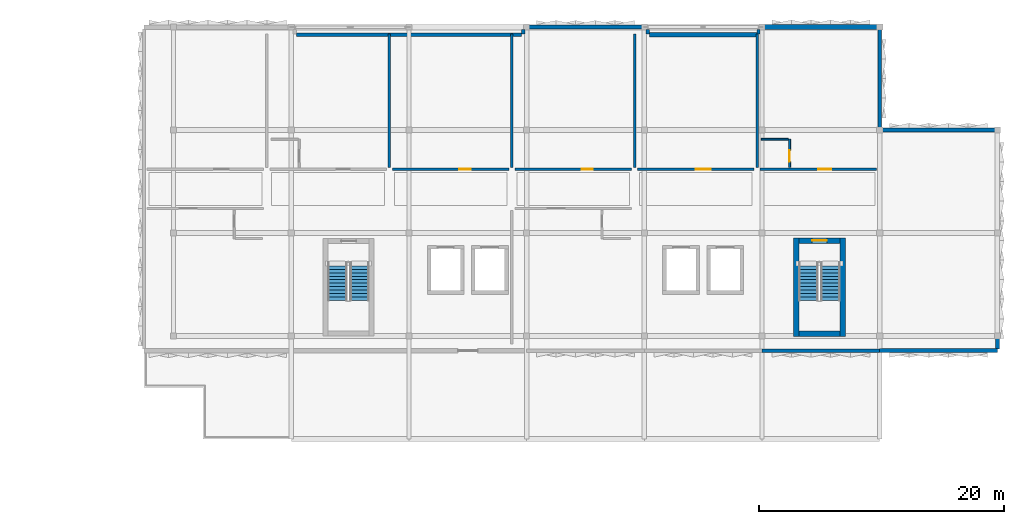
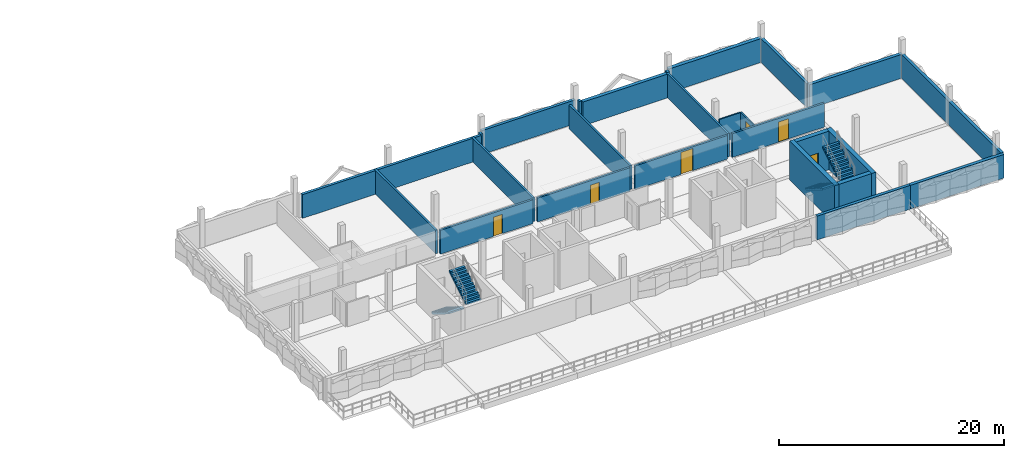
# One storey, part 8 of 13: 26 walls, 6 doors, 4 stair flights, 6 openings, 2 elements without a shape of their own.
"""IFC4 building model written with IfcOpenShell, lengths in metres."""

from ifc_helpers import new_model, si_unit, direction, frame, frame_2d, origin, place, context, subcontext, project, spatial, polyline, rectangle, outline, extrude, material, layer, layer_set, type_object, element, fill, aggregate, save


model = new_model("IFC4")

# Units and contexts
model_context = context("Model", 3, precision=1e-05, world=origin(), true_north=direction((0.0, 1.0)))
body_context = subcontext(model_context, "Body", "Model", "MODEL_VIEW")
ifc_project = project(units=[si_unit("LENGTHUNIT", "METRE"), si_unit("AREAUNIT", "SQUARE_METRE"), si_unit("VOLUMEUNIT", "CUBIC_METRE"), si_unit("PLANEANGLEUNIT", "RADIAN"), si_unit("MASSUNIT", "GRAM", prefix="KILO")], contexts=[model_context])

# Site, building, storey
site_placement = place(None, origin())
site = spatial("IfcSite", under=ifc_project, at=site_placement, CompositionType="ELEMENT")
building_placement = place(site_placement, origin())
building = spatial("IfcBuilding", under=site, at=building_placement, Name="Oolite Switchyard Hospital", CompositionType="ELEMENT")
storey_placement = place(building_placement, frame((0.0, 0.0, 30.39990234375)))
storey = spatial("IfcBuildingStorey", under=building, at=storey_placement, Name="L07", CompositionType="ELEMENT", Elevation=30.39990234375)

# Walls
ifc_material_1 = material(Name="Precast oolitic limestone architectural concrete C40/50", Category="masonry")
ifc_layer_1 = layer(ifc_material_1, 0.260009765625)
ifc_layer_set_1 = layer_set([ifc_layer_1], Name="WAL-EXT-260")
wall_type_1 = type_object("IfcWallType", Name="WAL-EXT-260", PredefinedType="SOLIDWALL", material=ifc_layer_set_1)
for number, where, z_axis, x_axis, name in (
    (1, (172.52001953125, 134.199951171875, 0.0), (0.0, 0.0, 1.0), (0.0, -1.0, 0.0), "L07 Brace Alcove Cheek Wall 392"),
    (2, (182.679931640625, 134.199951171875, 0.0), (0.0, 0.0, 1.0), (0.0, -1.0, 0.0), "L07 Brace Alcove Cheek Wall 395"),
    (3, (191.719970703125, 134.199951171875, 0.0), (0.0, 0.0, 1.0), (0.0, -1.0, 0.0), "L07 Brace Alcove Cheek Wall 396"),
):
    element("IfcWall", number, at=place(storey_placement, frame(where, z_axis=z_axis, x_axis=x_axis)), inside=storey, type_object=wall_type_1, Name=name, PredefinedType="SOLIDWALL", context=body_context, shape_type="SweptSolid", body=[
        extrude(rectangle(XDim=0.35986328125, YDim=0.260009765625, at=frame_2d((0.179931640625, 0.0))), origin(), (0.0, 0.0, 1.0), 2.580078125),
    ])
ifc_layer_2 = layer(ifc_material_1, 0.280029296875)
ifc_layer_set_2 = layer_set([ifc_layer_2], Name="WAL-EXT-280")
wall_type_2 = type_object("IfcWallType", Name="WAL-EXT-280", PredefinedType="SOLIDWALL", material=ifc_layer_set_2)
wall_1_placement = place(storey_placement, frame((154.02001953125, 133.780029296875, 0.0), z_axis=(0.0, 0.0, 1.0), x_axis=(1.0, 0.0, 0.0)))
element("IfcWall", 4, at=wall_1_placement, inside=storey, type_object=wall_type_2, Name="L07 Exterior Spandrel Wall 393", PredefinedType="SOLIDWALL", context=body_context, shape_type="SweptSolid", body=[
    extrude(rectangle(XDim=18.35986328125, YDim=0.280029296875, at=frame_2d((9.179931640625, 0.0))), origin(), (0.0, 0.0, 1.0), 2.580078125),
])
wall_2_placement = place(storey_placement, frame((201.60009765625, 134.239990234375, 0.0), z_axis=(0.0, 0.0, 1.0), x_axis=(0.0, -1.0, 0.0)))
element("IfcWall", 5, at=wall_2_placement, inside=storey, type_object=wall_type_2, Name="L07 Exterior Spandrel Wall 400", PredefinedType="SOLIDWALL", context=body_context, shape_type="SweptSolid", body=[
    extrude(rectangle(XDim=8.080078125, YDim=0.280029296875, at=frame_2d((4.0400390625, 0.0))), origin(), (0.0, 0.0, 1.0), 2.580078125),
])
ifc_layer_3 = layer(ifc_material_1, 0.300048828125)
ifc_layer_set_3 = layer_set([ifc_layer_3], Name="WAL-EXT-300")
wall_type_3 = type_object("IfcWallType", Name="WAL-EXT-300", PredefinedType="SOLIDWALL", material=ifc_layer_set_3)
wall_3_placement = place(storey_placement, frame((201.60009765625, 108.0, 0.0), z_axis=(0.0, 0.0, 1.0), x_axis=(-1.0, 0.0, 0.0)))
element("IfcWall", 6, at=wall_3_placement, inside=storey, type_object=wall_type_3, Name="L07 Exterior Spandrel Wall 387", PredefinedType="SOLIDWALL", context=body_context, shape_type="SweptSolid", body=[
    extrude(rectangle(XDim=9.60009765625, YDim=0.300048828125, at=frame_2d((4.800048828125, 0.0))), origin(), (0.0, 0.0, 1.0), 2.580078125),
])
wall_4_placement = place(storey_placement, frame((172.800048828125, 134.39990234375, 0.0), z_axis=(0.0, 0.0, 1.0), x_axis=(1.0, 0.0, 0.0)))
element("IfcWall", 7, at=wall_4_placement, inside=storey, type_object=wall_type_3, Name="L07 Exterior Spandrel Wall 394", PredefinedType="SOLIDWALL", context=body_context, shape_type="SweptSolid", body=[
    extrude(rectangle(XDim=9.599853515625, YDim=0.300048828125, at=frame_2d((4.7998046875, 0.0))), origin(), (0.0, 0.0, 1.0), 2.580078125),
])
wall_5_placement = place(storey_placement, frame((211.199951171875, 125.840087890625, 0.0), z_axis=(0.0, 0.0, 1.0), x_axis=(0.0, -1.0, 0.0)))
element("IfcWall", 8, at=wall_5_placement, inside=storey, type_object=wall_type_3, Name="L07 Exterior Spandrel Wall 401", PredefinedType="SOLIDWALL", context=body_context, shape_type="SweptSolid", body=[
    extrude(rectangle(XDim=17.68017578125, YDim=0.300048828125, at=frame_2d((8.840087890625, 0.0))), origin(), (0.0, 0.0, 1.0), 2.580078125),
])
ifc_layer_4 = layer(ifc_material_1, 0.320068359375)
ifc_layer_set_4 = layer_set([ifc_layer_4], Name="WAL-EXT-320")
wall_type_4 = type_object("IfcWallType", Name="WAL-EXT-320", PredefinedType="SOLIDWALL", material=ifc_layer_set_4)
wall_6_placement = place(storey_placement, frame((211.199951171875, 108.0, 0.0), z_axis=(0.0, 0.0, 1.0), x_axis=(-1.0, 0.0, 0.0)))
element("IfcWall", 9, at=wall_6_placement, inside=storey, type_object=wall_type_4, Name="L07 Exterior Spandrel Wall 388", PredefinedType="SOLIDWALL", context=body_context, shape_type="SweptSolid", body=[
    extrude(rectangle(XDim=9.599853515625, YDim=0.320068359375, at=frame_2d((4.7998046875, 0.0))), origin(), (0.0, 0.0, 1.0), 2.580078125),
])
ifc_layer_5 = layer(ifc_material_1, 0.340087890625)
ifc_layer_set_5 = layer_set([ifc_layer_5], Name="WAL-EXT-340")
wall_type_5 = type_object("IfcWallType", Name="WAL-EXT-340", PredefinedType="SOLIDWALL", material=ifc_layer_set_5)
wall_7_placement = place(storey_placement, frame((201.60009765625, 126.0, 0.0), z_axis=(0.0, 0.0, 1.0), x_axis=(1.0, 0.0, 0.0)))
element("IfcWall", 10, at=wall_7_placement, inside=storey, type_object=wall_type_5, Name="L07 Exterior Spandrel Wall 389", PredefinedType="SOLIDWALL", context=body_context, shape_type="SweptSolid", body=[
    extrude(rectangle(XDim=9.599853515625, YDim=0.340087890625, at=frame_2d((4.7998046875, 0.0))), origin(), (0.0, 0.0, 1.0), 2.580078125),
])
ifc_layer_6 = layer(ifc_material_1, 0.360107421875)
ifc_layer_set_6 = layer_set([ifc_layer_6], Name="WAL-EXT-360")
wall_type_6 = type_object("IfcWallType", Name="WAL-EXT-360", PredefinedType="SOLIDWALL", material=ifc_layer_set_6)
wall_8_placement = place(storey_placement, frame((182.820068359375, 133.780029296875, 0.0), z_axis=(0.0, 0.0, 1.0), x_axis=(1.0, 0.0, 0.0)))
element("IfcWall", 11, at=wall_8_placement, inside=storey, type_object=wall_type_6, Name="L07 Exterior Spandrel Wall 397", PredefinedType="SOLIDWALL", context=body_context, shape_type="SweptSolid", body=[
    extrude(rectangle(XDim=8.760009765625, YDim=0.360107421875, at=frame_2d((4.3798828125, 0.0))), origin(), (0.0, 0.0, 1.0), 2.580078125),
])
ifc_layer_7 = layer(ifc_material_1, 0.3798828125)
ifc_layer_set_7 = layer_set([ifc_layer_7], Name="WAL-EXT-380")
wall_type_7 = type_object("IfcWallType", Name="WAL-EXT-380", PredefinedType="SOLIDWALL", material=ifc_layer_set_7)
wall_9_placement = place(storey_placement, frame((192.0, 134.39990234375, 0.0), z_axis=(0.0, 0.0, 1.0), x_axis=(1.0, 0.0, 0.0)))
element("IfcWall", 12, at=wall_9_placement, inside=storey, type_object=wall_type_7, Name="L07 Exterior Spandrel Wall 398", PredefinedType="SOLIDWALL", context=body_context, shape_type="SweptSolid", body=[
    extrude(rectangle(XDim=9.60009765625, YDim=0.3798828125, at=frame_2d((4.800048828125, 0.0))), origin(), (0.0, 0.0, 1.0), 2.580078125),
])

# Wall, opening, door
ifc_material_2 = material(Name="Moisture-resistant gypsum board on steel studs", Category="steel")
ifc_layer_8 = layer(ifc_material_2, 0.14990234375)
ifc_layer_set_8 = layer_set([ifc_layer_8], Name="WAL-PART-150")
wall_type_8 = type_object("IfcWallType", Name="WAL-PART-150", PredefinedType="PARTITIONING", material=ifc_layer_set_8)
wall_10_placement = place(storey_placement, frame((194.25, 122.949951171875, 0.0), z_axis=(0.0, 0.0, 1.0), x_axis=(0.0, 1.0, 0.0)))
wall_10 = element("IfcWall", 13, at=wall_10_placement, inside=storey, type_object=wall_type_8, Name="L07 Interior Partition 912", PredefinedType="PARTITIONING", context=body_context, shape_type="SweptSolid", body=[
    extrude(rectangle(XDim=2.300048828125, YDim=0.14990234375, at=frame_2d((1.14990234375, 0.0))), origin(), (0.0, 0.0, 1.0), 2.580078125),
])
opening_1_placement = place(wall_10_placement, frame((0.449951171875, 0.0, 0.0)))
opening_1 = element("IfcOpeningElement", 14, at=opening_1_placement, cuts=wall_10, Name="Opening D-0506", PredefinedType="OPENING", context=body_context, shape_type="SweptSolid", body=[
    extrude(rectangle(XDim=0.949951171875, YDim=2.10009765625, at=frame_2d((0.47509765625, 1.050048828125))), frame((0.0, 0.0849609375, 0.0), z_axis=(0.0, -1.0, 0.0), x_axis=(1.0, 0.0, 0.0)), (0.0, 0.0, 1.0), 0.169921875),
])
ifc_material_3 = material(Name="Solid-core antimicrobial hardwood leaf in steel frame", Category="steel")
door_type_1 = type_object("IfcDoorType", Name="DR-BATH-095X210", OperationType="NOTDEFINED", PredefinedType="DOOR", material=ifc_material_3)
door_1_placement = place(opening_1_placement, origin())
door_1 = element("IfcDoor", 15, at=door_1_placement, inside=storey, type_object=door_type_1, Name="L07 Interior Door D-0506", OperationType="SINGLE_SWING_RIGHT", OverallHeight=2.10009765625, OverallWidth=0.949951171875, PredefinedType="DOOR", context=body_context, shape_type="SweptSolid", body=[
    extrude(rectangle(XDim=0.949951171875, YDim=2.10009765625, at=frame_2d((0.47509765625, 1.050048828125))), frame((0.0, 0.02490234375, 0.0), z_axis=(0.0, -1.0, 0.0), x_axis=(1.0, 0.0, 0.0)), (0.0, 0.0, 1.0), 0.050048828125),
])
fill(opening_1, door_1)

# Walls
wall_11_placement = place(storey_placement, frame((191.949951171875, 125.25, 0.0), z_axis=(0.0, 0.0, 1.0), x_axis=(1.0, 0.0, 0.0)))
element("IfcWall", 16, at=wall_11_placement, inside=storey, type_object=wall_type_8, Name="L07 Interior Partition 913", PredefinedType="PARTITIONING", context=body_context, shape_type="SweptSolid", body=[
    extrude(rectangle(XDim=2.199951171875, YDim=0.14990234375, at=frame_2d((1.10009765625, 0.0))), origin(), (0.0, 0.0, 1.0), 2.580078125),
])
ifc_material_4 = material(Name="Concrete C50/60", Category="concrete")
ifc_layer_9 = layer(ifc_material_4, 0.449951171875)
ifc_layer_set_9 = layer_set([ifc_layer_9], Name="WAL-SHR-450")
wall_type_9 = type_object("IfcWallType", Name="WAL-SHR-450", PredefinedType="SHEAR", material=ifc_layer_set_9)
wall_12_placement = place(storey_placement, frame((194.77490234375, 117.199951171875, 0.0), z_axis=(0.0, 0.0, 1.0), x_axis=(0.0, -1.0, 0.0)))
element("IfcWall", 17, at=wall_12_placement, inside=storey, type_object=wall_type_9, Name="L07 Core Shear Wall ST-04", PredefinedType="SHEAR", context=body_context, shape_type="SweptSolid", body=[
    extrude(rectangle(XDim=8.050048828125, YDim=0.449951171875, at=frame_2d((4.02490234375, 0.0))), origin(), (0.0, 0.0, 1.0), 4.2001953125),
])
wall_13_placement = place(storey_placement, frame((195.0, 109.375, 0.0), z_axis=(0.0, 0.0, 1.0), x_axis=(1.0, 0.0, 0.0)))
element("IfcWall", 18, at=wall_13_placement, inside=storey, type_object=wall_type_9, Name="L07 Core Shear Wall ST-04", PredefinedType="SHEAR", context=body_context, shape_type="SweptSolid", body=[
    extrude(rectangle(XDim=3.360107421875, YDim=0.449951171875, at=frame_2d((1.68017578125, 0.0))), origin(), (0.0, 0.0, 1.0), 4.2001953125),
])
wall_14_placement = place(storey_placement, frame((198.5849609375, 109.14990234375, 0.0), z_axis=(0.0, 0.0, 1.0), x_axis=(0.0, 1.0, 0.0)))
element("IfcWall", 19, at=wall_14_placement, inside=storey, type_object=wall_type_9, Name="L07 Core Shear Wall ST-04", PredefinedType="SHEAR", context=body_context, shape_type="SweptSolid", body=[
    extrude(rectangle(XDim=8.050048828125, YDim=0.449951171875, at=frame_2d((4.02490234375, 0.0))), origin(), (0.0, 0.0, 1.0), 4.2001953125),
])

# Wall, opening, door
wall_15_placement = place(storey_placement, frame((198.360107421875, 116.97509765625, 0.0), z_axis=(0.0, 0.0, 1.0), x_axis=(-1.0, 0.0, 0.0)))
wall_15 = element("IfcWall", 20, at=wall_15_placement, inside=storey, type_object=wall_type_9, Name="L07 Core Shear Wall ST-04", PredefinedType="SHEAR", context=body_context, shape_type="SweptSolid", body=[
    extrude(rectangle(XDim=3.360107421875, YDim=0.449951171875, at=frame_2d((1.68017578125, 0.0))), origin(), (0.0, 0.0, 1.0), 4.2001953125),
])
opening_2_placement = place(wall_15_placement, frame((1.080078125, 0.0, 0.0)))
opening_2 = element("IfcOpeningElement", 21, at=opening_2_placement, cuts=wall_15, Name="Opening SD-031", PredefinedType="OPENING", context=body_context, shape_type="SweptSolid", body=[
    extrude(rectangle(XDim=1.199951171875, YDim=2.199951171875, at=frame_2d((0.60009765625, 1.10009765625))), frame((0.0, 0.23486328125, 0.0), z_axis=(0.0, -1.0, 0.0), x_axis=(1.0, 0.0, 0.0)), (0.0, 0.0, 1.0), 0.469970703125),
])
ifc_material_5 = material(Name="Hollow metal fire-rated steel door assembly", Category="steel")
door_type_2 = type_object("IfcDoorType", Name="DR-STR-120X220", OperationType="NOTDEFINED", PredefinedType="DOOR", material=ifc_material_5)
door_2_placement = place(opening_2_placement, origin())
door_2 = element("IfcDoor", 22, at=door_2_placement, inside=storey, type_object=door_type_2, Name="L07 ST-04 Exit Stair Door SD-031", OperationType="SINGLE_SWING_LEFT", OverallHeight=2.199951171875, OverallWidth=1.199951171875, PredefinedType="DOOR", context=body_context, shape_type="SweptSolid", body=[
    extrude(rectangle(XDim=1.199951171875, YDim=2.199951171875, at=frame_2d((0.60009765625, 1.10009765625))), frame((0.0, 0.02490234375, 0.0), z_axis=(0.0, -1.0, 0.0), x_axis=(1.0, 0.0, 0.0)), (0.0, 0.0, 1.0), 0.050048828125),
])
fill(opening_2, door_2)

ifc_layer_10 = layer(ifc_material_2, 0.199951171875)
ifc_layer_set_10 = layer_set([ifc_layer_10], Name="WAL-SMK-200")
wall_type_10 = type_object("IfcWallType", Name="WAL-SMK-200", PredefinedType="PARTITIONING", material=ifc_layer_set_10)
wall_16_placement = place(storey_placement, frame((161.85009765625, 122.800048828125, 0.0), z_axis=(0.0, 0.0, 1.0), x_axis=(1.0, 0.0, 0.0)))
wall_16 = element("IfcWall", 23, at=wall_16_placement, inside=storey, type_object=wall_type_10, Name="L07 Interior Partition 901", PredefinedType="PARTITIONING", context=body_context, shape_type="SweptSolid", body=[
    extrude(rectangle(XDim=9.5, YDim=0.199951171875, at=frame_2d((4.75, 0.0))), origin(), (0.0, 0.0, 1.0), 2.580078125),
])
opening_3_placement = place(wall_16_placement, frame((5.449951171875, 0.0, 0.0)))
opening_3 = element("IfcOpeningElement", 24, at=opening_3_placement, cuts=wall_16, Name="Opening D-0500", PredefinedType="OPENING", context=body_context, shape_type="SweptSolid", body=[
    extrude(rectangle(XDim=0.949951171875, YDim=2.10009765625, at=frame_2d((0.47509765625, 1.050048828125))), frame((0.0, 0.10986328125, 0.0), z_axis=(0.0, -1.0, 0.0), x_axis=(1.0, 0.0, 0.0)), (0.0, 0.0, 1.0), 0.219970703125),
])
door_3_placement = place(opening_3_placement, origin())
door_3 = element("IfcDoor", 25, at=door_3_placement, inside=storey, type_object=door_type_1, Name="L07 Interior Door D-0500", OperationType="SINGLE_SWING_RIGHT", OverallHeight=2.10009765625, OverallWidth=0.949951171875, PredefinedType="DOOR", context=body_context, shape_type="SweptSolid", body=[
    extrude(rectangle(XDim=0.949951171875, YDim=2.10009765625, at=frame_2d((0.47509765625, 1.050048828125))), frame((0.0, 0.02490234375, 0.0), z_axis=(0.0, -1.0, 0.0), x_axis=(1.0, 0.0, 0.0)), (0.0, 0.0, 1.0), 0.050048828125),
])
fill(opening_3, door_3)

# Wall
wall_17_placement = place(storey_placement, frame((161.60009765625, 122.949951171875, 0.0), z_axis=(0.0, 0.0, 1.0), x_axis=(0.0, 1.0, 0.0)))
element("IfcWall", 26, at=wall_17_placement, inside=storey, type_object=wall_type_10, Name="L07 Interior Partition 902", PredefinedType="PARTITIONING", context=body_context, shape_type="SweptSolid", body=[
    extrude(rectangle(XDim=10.900146484375, YDim=0.199951171875, at=frame_2d((5.4501953125, 0.0))), origin(), (0.0, 0.0, 1.0), 2.580078125),
])

# Wall, opening, door
wall_18_placement = place(storey_placement, frame((171.85009765625, 122.800048828125, 0.0), z_axis=(0.0, 0.0, 1.0), x_axis=(1.0, 0.0, 0.0)))
wall_18 = element("IfcWall", 27, at=wall_18_placement, inside=storey, type_object=wall_type_10, Name="L07 Interior Partition 907", PredefinedType="PARTITIONING", context=body_context, shape_type="SweptSolid", body=[
    extrude(rectangle(XDim=9.5, YDim=0.199951171875, at=frame_2d((4.75, 0.0))), origin(), (0.0, 0.0, 1.0), 2.580078125),
])
opening_4_placement = place(wall_18_placement, frame((5.449951171875, 0.0, 0.0)))
opening_4 = element("IfcOpeningElement", 28, at=opening_4_placement, cuts=wall_18, Name="Opening D-0503", PredefinedType="OPENING", context=body_context, shape_type="SweptSolid", body=[
    extrude(rectangle(XDim=0.89990234375, YDim=2.10009765625, at=frame_2d((0.449951171875, 1.050048828125))), frame((0.0, 0.10986328125, 0.0), z_axis=(0.0, -1.0, 0.0), x_axis=(1.0, 0.0, 0.0)), (0.0, 0.0, 1.0), 0.219970703125),
])
door_type_3 = type_object("IfcDoorType", Name="DR-BATH-090X210", OperationType="NOTDEFINED", PredefinedType="DOOR", material=ifc_material_3)
door_4_placement = place(opening_4_placement, origin())
door_4 = element("IfcDoor", 29, at=door_4_placement, inside=storey, type_object=door_type_3, Name="L07 Interior Door D-0503", OperationType="SINGLE_SWING_LEFT", OverallHeight=2.10009765625, OverallWidth=0.89990234375, PredefinedType="DOOR", context=body_context, shape_type="SweptSolid", body=[
    extrude(rectangle(XDim=0.89990234375, YDim=2.10009765625, at=frame_2d((0.449951171875, 1.050048828125))), frame((0.0, 0.02490234375, 0.0), z_axis=(0.0, -1.0, 0.0), x_axis=(1.0, 0.0, 0.0)), (0.0, 0.0, 1.0), 0.050048828125),
])
fill(opening_4, door_4)

# Wall
wall_19_placement = place(storey_placement, frame((171.60009765625, 122.949951171875, 0.0), z_axis=(0.0, 0.0, 1.0), x_axis=(0.0, 1.0, 0.0)))
element("IfcWall", 30, at=wall_19_placement, inside=storey, type_object=wall_type_10, Name="L07 Interior Partition 908", PredefinedType="PARTITIONING", context=body_context, shape_type="SweptSolid", body=[
    extrude(rectangle(XDim=10.900146484375, YDim=0.199951171875, at=frame_2d((5.4501953125, 0.0))), origin(), (0.0, 0.0, 1.0), 2.580078125),
])

# Wall, opening, door
wall_20_placement = place(storey_placement, frame((181.85009765625, 122.800048828125, 0.0), z_axis=(0.0, 0.0, 1.0), x_axis=(1.0, 0.0, 0.0)))
wall_20 = element("IfcWall", 31, at=wall_20_placement, inside=storey, type_object=wall_type_10, Name="L07 Interior Partition 909", PredefinedType="PARTITIONING", context=body_context, shape_type="SweptSolid", body=[
    extrude(rectangle(XDim=9.5, YDim=0.199951171875, at=frame_2d((4.75, 0.0))), origin(), (0.0, 0.0, 1.0), 2.580078125),
])
opening_5_placement = place(wall_20_placement, frame((4.75, 0.0, 0.0)))
opening_5 = element("IfcOpeningElement", 32, at=opening_5_placement, cuts=wall_20, Name="Opening D-0504", PredefinedType="OPENING", context=body_context, shape_type="SweptSolid", body=[
    extrude(rectangle(XDim=1.199951171875, YDim=2.39990234375, at=frame_2d((0.60009765625, 1.199951171875))), frame((0.0, 0.10986328125, 0.0), z_axis=(0.0, -1.0, 0.0), x_axis=(1.0, 0.0, 0.0)), (0.0, 0.0, 1.0), 0.219970703125),
])
door_type_4 = type_object("IfcDoorType", Name="DR-PHARM-120X240", OperationType="NOTDEFINED", PredefinedType="DOOR", material=ifc_material_5)
door_5_placement = place(opening_5_placement, origin())
door_5 = element("IfcDoor", 33, at=door_5_placement, inside=storey, type_object=door_type_4, Name="L07 Interior Door D-0504", OperationType="SINGLE_SWING_RIGHT", OverallHeight=2.39990234375, OverallWidth=1.199951171875, PredefinedType="DOOR", context=body_context, shape_type="SweptSolid", body=[
    extrude(rectangle(XDim=1.199951171875, YDim=2.39990234375, at=frame_2d((0.60009765625, 1.199951171875))), frame((0.0, 0.02490234375, 0.0), z_axis=(0.0, -1.0, 0.0), x_axis=(1.0, 0.0, 0.0)), (0.0, 0.0, 1.0), 0.050048828125),
])
fill(opening_5, door_5)

# Wall
wall_21_placement = place(storey_placement, frame((181.60009765625, 122.949951171875, 0.0), z_axis=(0.0, 0.0, 1.0), x_axis=(0.0, 1.0, 0.0)))
element("IfcWall", 34, at=wall_21_placement, inside=storey, type_object=wall_type_10, Name="L07 Interior Partition 910", PredefinedType="PARTITIONING", context=body_context, shape_type="SweptSolid", body=[
    extrude(rectangle(XDim=10.900146484375, YDim=0.199951171875, at=frame_2d((5.4501953125, 0.0))), origin(), (0.0, 0.0, 1.0), 2.580078125),
])

# Wall, opening, door
wall_22_placement = place(storey_placement, frame((191.85009765625, 122.800048828125, 0.0), z_axis=(0.0, 0.0, 1.0), x_axis=(1.0, 0.0, 0.0)))
wall_22 = element("IfcWall", 35, at=wall_22_placement, inside=storey, type_object=wall_type_10, Name="L07 Interior Partition 911", PredefinedType="PARTITIONING", context=body_context, shape_type="SweptSolid", body=[
    extrude(rectangle(XDim=9.5, YDim=0.199951171875, at=frame_2d((4.75, 0.0))), origin(), (0.0, 0.0, 1.0), 2.580078125),
])
opening_6_placement = place(wall_22_placement, frame((4.75, 0.0, 0.0)))
opening_6 = element("IfcOpeningElement", 36, at=opening_6_placement, cuts=wall_22, Name="Opening D-0505", PredefinedType="OPENING", context=body_context, shape_type="SweptSolid", body=[
    extrude(rectangle(XDim=1.050048828125, YDim=2.199951171875, at=frame_2d((0.52490234375, 1.10009765625))), frame((0.0, 0.10986328125, 0.0), z_axis=(0.0, -1.0, 0.0), x_axis=(1.0, 0.0, 0.0)), (0.0, 0.0, 1.0), 0.219970703125),
])
door_type_5 = type_object("IfcDoorType", Name="DR-DUTY-105X220", OperationType="NOTDEFINED", PredefinedType="DOOR", material=ifc_material_3)
door_6_placement = place(opening_6_placement, origin())
door_6 = element("IfcDoor", 37, at=door_6_placement, inside=storey, type_object=door_type_5, Name="L07 Interior Door D-0505", OperationType="SINGLE_SWING_LEFT", OverallHeight=2.199951171875, OverallWidth=1.050048828125, PredefinedType="DOOR", context=body_context, shape_type="SweptSolid", body=[
    extrude(rectangle(XDim=1.050048828125, YDim=2.199951171875, at=frame_2d((0.52490234375, 1.10009765625))), frame((0.0, 0.02490234375, 0.0), z_axis=(0.0, -1.0, 0.0), x_axis=(1.0, 0.0, 0.0)), (0.0, 0.0, 1.0), 0.050048828125),
])
fill(opening_6, door_6)

# Wall
wall_23_placement = place(storey_placement, frame((191.60009765625, 122.949951171875, 0.0), z_axis=(0.0, 0.0, 1.0), x_axis=(0.0, 1.0, 0.0)))
element("IfcWall", 38, at=wall_23_placement, inside=storey, type_object=wall_type_10, Name="L07 Interior Partition 914", PredefinedType="PARTITIONING", context=body_context, shape_type="SweptSolid", body=[
    extrude(rectangle(XDim=10.900146484375, YDim=0.199951171875, at=frame_2d((5.4501953125, 0.0))), origin(), (0.0, 0.0, 1.0), 2.580078125),
])

# Stair, stair flights
ifc_material_6 = material(Name="Concrete C40/50", Category="concrete")
stair_type = type_object("IfcStairType", Name="STR-DL-156-R24", PredefinedType="HALF_TURN_STAIR", material=ifc_material_6)
stair_1_placement = place(storey_placement, origin())
stair_1 = element("IfcStair", 39, at=stair_1_placement, inside=storey, type_object=stair_type, Name="L07 Exit Stair ST-03", PredefinedType="HALF_TURN_STAIR")
stair_flight_type = type_object("IfcStairFlightType", Name="FLT-DL-156-R12", PredefinedType="STRAIGHT", material=ifc_material_6)
stair_flight_1_placement = place(storey_placement, frame((157.3798828125, 115.18994140625, 0.0), z_axis=(0.0, 0.0, 1.0), x_axis=(0.0, -1.0, 0.0)))
stair_flight_1 = element("IfcStairFlight", 40, at=stair_flight_1_placement, type_object=stair_flight_type, Name="ST-03 flight 1", NumberOfRisers=12, NumberOfTreads=11, PredefinedType="STRAIGHT", RiserHeight=0.175, TreadLength=0.28, context=body_context, shape_type="SweptSolid", body=[
    extrude(outline(polyline([(0.0, 0.0), (0.0, 0.175048828125), (0.280029296875, 0.175048828125), (0.280029296875, 0.35009765625), (0.56005859375, 0.35009765625), (0.56005859375, 0.52490234375), (0.840087890625, 0.52490234375), (0.840087890625, 0.699951171875), (1.1201171875, 0.699951171875), (1.1201171875, 0.875), (1.39990234375, 0.875), (1.39990234375, 1.050048828125), (1.679931640625, 1.050048828125), (1.679931640625, 1.22509765625), (1.9599609375, 1.22509765625), (1.9599609375, 1.39990234375), (2.239990234375, 1.39990234375), (2.239990234375, 1.574951171875), (2.52001953125, 1.574951171875), (2.52001953125, 1.75), (2.800048828125, 1.75), (2.800048828125, 1.925048828125), (3.080078125, 1.925048828125), (3.080078125, 2.10009765625), (3.080078125, 1.748291015625), (0.28271484375, 0.0), (0.0, 0.0)])), frame((0.0, 0.780029296875, 0.0), z_axis=(0.0, -1.0, 0.0), x_axis=(1.0, 0.0, 0.0)), (0.0, 0.0, 1.0), 1.56005859375),
])
stair_flight_2_placement = place(storey_placement, frame((159.179931640625, 112.110107421875, 2.10009765625), z_axis=(0.0, 0.0, 1.0), x_axis=(0.0, 1.0, 0.0)))
stair_flight_2 = element("IfcStairFlight", 41, at=stair_flight_2_placement, type_object=stair_flight_type, Name="ST-03 flight 2", NumberOfRisers=12, NumberOfTreads=11, PredefinedType="STRAIGHT", RiserHeight=0.175, TreadLength=0.28, context=body_context, shape_type="SweptSolid", body=[
    extrude(outline(polyline([(0.0, 0.0), (0.0, 0.175048828125), (0.280029296875, 0.175048828125), (0.280029296875, 0.35009765625), (0.56005859375, 0.35009765625), (0.56005859375, 0.52490234375), (0.840087890625, 0.52490234375), (0.840087890625, 0.699951171875), (1.1201171875, 0.699951171875), (1.1201171875, 0.875), (1.39990234375, 0.875), (1.39990234375, 1.050048828125), (1.679931640625, 1.050048828125), (1.679931640625, 1.22509765625), (1.9599609375, 1.22509765625), (1.9599609375, 1.39990234375), (2.239990234375, 1.39990234375), (2.239990234375, 1.574951171875), (2.52001953125, 1.574951171875), (2.52001953125, 1.75), (2.800048828125, 1.75), (2.800048828125, 1.925048828125), (3.080078125, 1.925048828125), (3.080078125, 2.10009765625), (3.080078125, 1.748291015625), (0.28271484375, 0.0), (0.0, 0.0)])), frame((0.0, 0.780029296875, 0.0), z_axis=(0.0, -1.0, 0.0), x_axis=(1.0, 0.0, 0.0)), (0.0, 0.0, 1.0), 1.56005859375),
])
aggregate(stair_1, [stair_flight_1, stair_flight_2])

stair_2_placement = place(storey_placement, origin())
stair_2 = element("IfcStair", 42, at=stair_2_placement, inside=storey, type_object=stair_type, Name="L07 Exit Stair ST-04", PredefinedType="HALF_TURN_STAIR")
stair_flight_3_placement = place(storey_placement, frame((195.780029296875, 115.18994140625, 0.0), z_axis=(0.0, 0.0, 1.0), x_axis=(0.0, -1.0, 0.0)))
stair_flight_3 = element("IfcStairFlight", 43, at=stair_flight_3_placement, type_object=stair_flight_type, Name="ST-04 flight 1", NumberOfRisers=12, NumberOfTreads=11, PredefinedType="STRAIGHT", RiserHeight=0.175, TreadLength=0.28, context=body_context, shape_type="SweptSolid", body=[
    extrude(outline(polyline([(0.0, 0.0), (0.0, 0.175048828125), (0.280029296875, 0.175048828125), (0.280029296875, 0.35009765625), (0.56005859375, 0.35009765625), (0.56005859375, 0.52490234375), (0.840087890625, 0.52490234375), (0.840087890625, 0.699951171875), (1.1201171875, 0.699951171875), (1.1201171875, 0.875), (1.39990234375, 0.875), (1.39990234375, 1.050048828125), (1.679931640625, 1.050048828125), (1.679931640625, 1.22509765625), (1.9599609375, 1.22509765625), (1.9599609375, 1.39990234375), (2.239990234375, 1.39990234375), (2.239990234375, 1.574951171875), (2.52001953125, 1.574951171875), (2.52001953125, 1.75), (2.800048828125, 1.75), (2.800048828125, 1.925048828125), (3.080078125, 1.925048828125), (3.080078125, 2.10009765625), (3.080078125, 1.748291015625), (0.28271484375, 0.0), (0.0, 0.0)])), frame((0.0, 0.780029296875, 0.0), z_axis=(0.0, -1.0, 0.0), x_axis=(1.0, 0.0, 0.0)), (0.0, 0.0, 1.0), 1.56005859375),
])
stair_flight_4_placement = place(storey_placement, frame((197.580078125, 112.110107421875, 2.10009765625), z_axis=(0.0, 0.0, 1.0), x_axis=(0.0, 1.0, 0.0)))
stair_flight_4 = element("IfcStairFlight", 44, at=stair_flight_4_placement, type_object=stair_flight_type, Name="ST-04 flight 2", NumberOfRisers=12, NumberOfTreads=11, PredefinedType="STRAIGHT", RiserHeight=0.175, TreadLength=0.28, context=body_context, shape_type="SweptSolid", body=[
    extrude(outline(polyline([(0.0, 0.0), (0.0, 0.175048828125), (0.280029296875, 0.175048828125), (0.280029296875, 0.35009765625), (0.56005859375, 0.35009765625), (0.56005859375, 0.52490234375), (0.840087890625, 0.52490234375), (0.840087890625, 0.699951171875), (1.1201171875, 0.699951171875), (1.1201171875, 0.875), (1.39990234375, 0.875), (1.39990234375, 1.050048828125), (1.679931640625, 1.050048828125), (1.679931640625, 1.22509765625), (1.9599609375, 1.22509765625), (1.9599609375, 1.39990234375), (2.239990234375, 1.39990234375), (2.239990234375, 1.574951171875), (2.52001953125, 1.574951171875), (2.52001953125, 1.75), (2.800048828125, 1.75), (2.800048828125, 1.925048828125), (3.080078125, 1.925048828125), (3.080078125, 2.10009765625), (3.080078125, 1.748291015625), (0.28271484375, 0.0), (0.0, 0.0)])), frame((0.0, 0.780029296875, 0.0), z_axis=(0.0, -1.0, 0.0), x_axis=(1.0, 0.0, 0.0)), (0.0, 0.0, 1.0), 1.56005859375),
])
aggregate(stair_2, [stair_flight_3, stair_flight_4])

save(model, "model.ifc")
